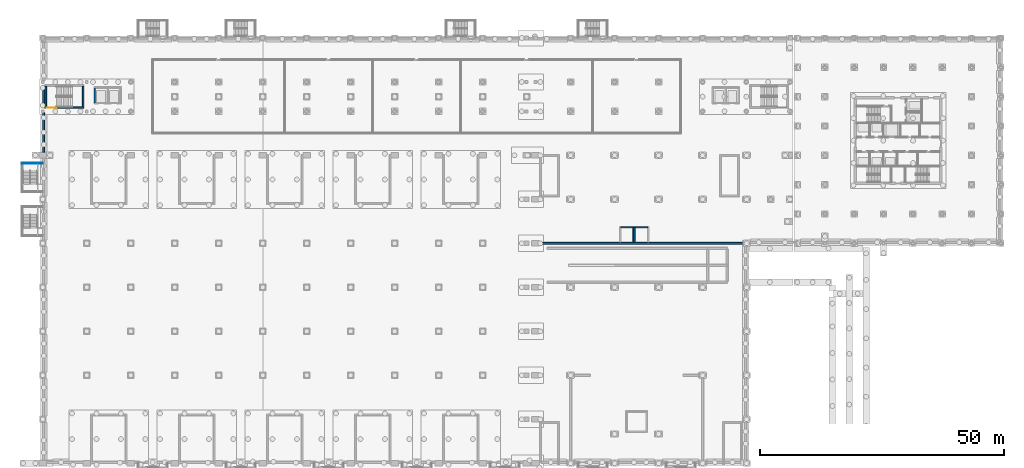
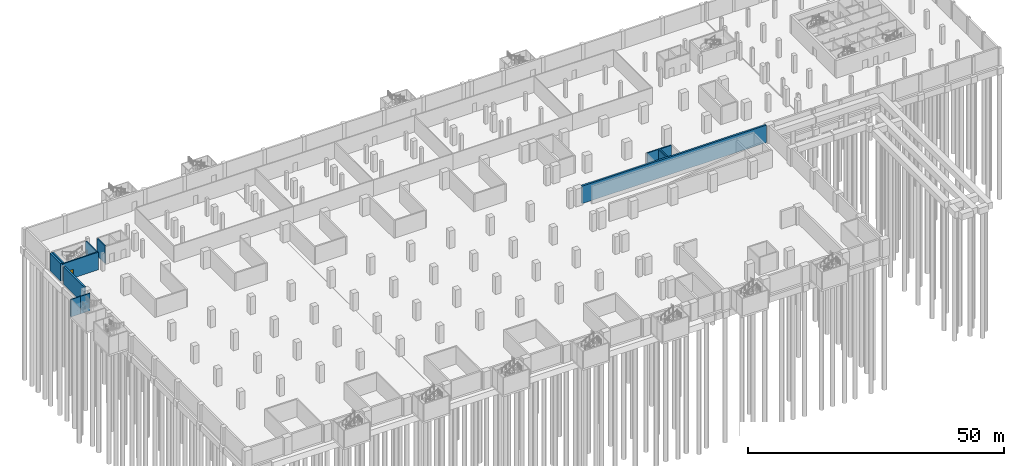
# One storey, part 12 of 29: 13 walls, 1 door, 1 opening.
"""IFC4 building model written with IfcOpenShell, lengths in metres."""

from ifc_helpers import new_model, si_unit, direction, frame, frame_2d, origin, place, context, subcontext, project, spatial, rectangle, extrude, material, layer, layer_set, type_object, element, fill, save


model = new_model("IFC4")

# Units and contexts
model_context = context("Model", 3, precision=1e-05, world=origin(), true_north=direction((0.0, 1.0)))
body_context = subcontext(model_context, "Body", "Model", "MODEL_VIEW")
ifc_project = project(units=[si_unit("LENGTHUNIT", "METRE"), si_unit("AREAUNIT", "SQUARE_METRE"), si_unit("VOLUMEUNIT", "CUBIC_METRE"), si_unit("PLANEANGLEUNIT", "RADIAN"), si_unit("MASSUNIT", "GRAM", prefix="KILO")], contexts=[model_context])

# Site, building, storey
site_placement = place(None, origin())
site = spatial("IfcSite", under=ifc_project, at=site_placement, CompositionType="ELEMENT")
building_placement = place(site_placement, origin())
building = spatial("IfcBuilding", under=site, at=building_placement, Name="Aravalli Gate Trade Fair Centre", CompositionType="ELEMENT")
storey_placement = place(building_placement, frame((0.0, 0.0, -8.39990234375)))
storey = spatial("IfcBuildingStorey", under=building, at=storey_placement, Name="B2", CompositionType="ELEMENT", Elevation=-8.39990234375)

# Walls
ifc_material_1 = material(Name="Concrete M40", Category="concrete")
ifc_layer_1 = layer(ifc_material_1, 0.39990234375)
ifc_layer_set_1 = layer_set([ifc_layer_1], Name="Concrete M40")
wall_type_1 = type_object("IfcWallType", Name="Basement retaining wall 400", PredefinedType="SOLIDWALL", material=ifc_layer_set_1)
wall_1_placement = place(storey_placement, frame((6.199951171875, 109.60009765625, 0.0), z_axis=(0.0, 0.0, 1.0), x_axis=(0.0, 1.0, 0.0)))
element("IfcWall", 1, at=wall_1_placement, inside=storey, type_object=wall_type_1, Name="Retaining wall W08 B2", PredefinedType="SOLIDWALL", context=body_context, shape_type="SweptSolid", body=[
    extrude(rectangle(XDim=8.099853515625, YDim=0.39990234375, at=frame_2d((4.0498046875, 0.0))), origin(), (0.0, 0.0, 1.0), 4.199951171875),
])
wall_2_placement = place(storey_placement, frame((6.199951171875, 118.89990234375, 0.0), z_axis=(0.0, 0.0, 1.0), x_axis=(0.0, 1.0, 0.0)))
element("IfcWall", 2, at=wall_2_placement, inside=storey, type_object=wall_type_1, Name="Retaining wall W09 B2", PredefinedType="SOLIDWALL", context=body_context, shape_type="SweptSolid", body=[
    extrude(rectangle(XDim=4.2001953125, YDim=0.39990234375, at=frame_2d((2.10009765625, 0.0))), origin(), (0.0, 0.0, 1.0), 4.199951171875),
])
ifc_material_2 = material(Name="Concrete M35", Category="concrete")
ifc_layer_2 = layer(ifc_material_2, 0.199951171875)
ifc_layer_set_2 = layer_set([ifc_layer_2], Name="Concrete M35")
wall_type_2 = type_object("IfcWallType", Name="Basement stair enclosure wall 200", PredefinedType="SOLIDWALL", material=ifc_layer_set_2)
wall_3_placement = place(storey_placement, frame((6.0, 107.39990234375, 0.0), z_axis=(0.0, 0.0, 1.0), x_axis=(-1.0, 0.0, 0.0)))
element("IfcWall", 3, at=wall_3_placement, inside=storey, type_object=wall_type_2, Name="Basement stair W2 enclosure wall L1 B2", PredefinedType="SOLIDWALL", context=body_context, shape_type="SweptSolid", body=[
    extrude(rectangle(XDim=2.14990234375, YDim=0.199951171875, at=frame_2d((1.074951171875, 0.0))), origin(), (0.0, 0.0, 1.0), 4.199951171875),
])
wall_4_placement = place(storey_placement, frame((3.85009765625, 107.39990234375, 0.0), z_axis=(0.0, 0.0, 1.0), x_axis=(-1.0, 0.0, 0.0)))
element("IfcWall", 4, at=wall_4_placement, inside=storey, type_object=wall_type_2, Name="Basement stair W2 enclosure wall L2 B2", PredefinedType="SOLIDWALL", context=body_context, shape_type="SweptSolid", body=[
    extrude(rectangle(XDim=2.150146484375, YDim=0.199951171875, at=frame_2d((1.0751953125, 0.0))), origin(), (0.0, 0.0, 1.0), 4.199951171875),
])
ifc_layer_3 = layer(ifc_material_1, 0.25)
ifc_layer_set_3 = layer_set([ifc_layer_3], Name="Concrete M40")
wall_type_3 = type_object("IfcWallType", Name="Congress RC wall 250 shaft", PredefinedType="SHEAR", material=ifc_layer_set_3)
wall_5_placement = place(storey_placement, frame((126.875, 91.199951171875, 0.0), z_axis=(0.0, 0.0, 1.0), x_axis=(0.0, 1.0, 0.0)))
element("IfcWall", 5, at=wall_5_placement, inside=storey, type_object=wall_type_3, Name="Lift GL1 shaft wall E B2", PredefinedType="SHEAR", context=body_context, shape_type="SweptSolid", body=[
    extrude(rectangle(XDim=3.199951171875, YDim=0.25, at=frame_2d((1.60009765625, 0.0))), origin(), (0.0, 0.0, 1.0), 4.199951171875),
])
wall_6_placement = place(storey_placement, frame((124.25, 94.27490234375, 0.0), z_axis=(0.0, 0.0, 1.0), x_axis=(1.0, 0.0, 0.0)))
element("IfcWall", 6, at=wall_6_placement, inside=storey, type_object=wall_type_3, Name="Lift GL1 shaft wall F B2", PredefinedType="SHEAR", context=body_context, shape_type="SweptSolid", body=[
    extrude(rectangle(XDim=2.5, YDim=0.25, at=frame_2d((1.25, 0.0))), origin(), (0.0, 0.0, 1.0), 4.199951171875),
])
wall_7_placement = place(storey_placement, frame((127.125, 91.199951171875, 0.0), z_axis=(0.0, 0.0, 1.0), x_axis=(0.0, 1.0, 0.0)))
element("IfcWall", 7, at=wall_7_placement, inside=storey, type_object=wall_type_3, Name="Lift GL2 shaft wall W B2", PredefinedType="SHEAR", context=body_context, shape_type="SweptSolid", body=[
    extrude(rectangle(XDim=3.199951171875, YDim=0.25, at=frame_2d((1.60009765625, 0.0))), origin(), (0.0, 0.0, 1.0), 4.199951171875),
])
wall_8_placement = place(storey_placement, frame((127.25, 94.27490234375, 0.0), z_axis=(0.0, 0.0, 1.0), x_axis=(1.0, 0.0, 0.0)))
element("IfcWall", 8, at=wall_8_placement, inside=storey, type_object=wall_type_3, Name="Lift GL2 shaft wall F B2", PredefinedType="SHEAR", context=body_context, shape_type="SweptSolid", body=[
    extrude(rectangle(XDim=2.5, YDim=0.25, at=frame_2d((1.25, 0.0))), origin(), (0.0, 0.0, 1.0), 4.199951171875),
])
ifc_layer_4 = layer(ifc_material_1, 0.39990234375)
ifc_layer_set_4 = layer_set([ifc_layer_4], Name="Concrete M40")
wall_type_4 = type_object("IfcWallType", Name="Congress RC wall 400", PredefinedType="SHEAR", material=ifc_layer_set_4)
wall_9_placement = place(storey_placement, frame((107.60009765625, 91.0, 0.0), z_axis=(0.0, 0.0, 1.0), x_axis=(1.0, 0.0, 0.0)))
element("IfcWall", 9, at=wall_9_placement, inside=storey, type_object=wall_type_4, Name="Auditorium rear wall B2", PredefinedType="SHEAR", context=body_context, shape_type="SweptSolid", body=[
    extrude(rectangle(XDim=41.599853515625, YDim=0.39990234375, at=frame_2d((20.7998046875, 0.0))), origin(), (0.0, 0.0, 1.0), 4.199951171875),
])
ifc_layer_5 = layer(ifc_material_1, 0.25)
ifc_layer_set_5 = layer_set([ifc_layer_5], Name="Concrete M40")
wall_type_5 = type_object("IfcWallType", Name="RC core wall 250", PredefinedType="SHEAR", material=ifc_layer_set_5)
wall_10_placement = place(storey_placement, frame((16.625, 119.75, 0.0), z_axis=(0.0, 0.0, 1.0), x_axis=(0.0, 1.0, 0.0)))
element("IfcWall", 10, at=wall_10_placement, inside=storey, type_object=wall_type_5, Name="Core wall WLW B2", PredefinedType="SHEAR", context=body_context, shape_type="SweptSolid", body=[
    extrude(rectangle(XDim=3.0, YDim=0.25, at=frame_2d((1.5, 0.0))), origin(), (0.0, 0.0, 1.0), 4.199951171875),
])

# Wall, opening, door
ifc_layer_6 = layer(ifc_material_1, 0.300048828125)
ifc_layer_set_6 = layer_set([ifc_layer_6], Name="Concrete M40")
wall_type_6 = type_object("IfcWallType", Name="RC core wall 300", PredefinedType="SHEAR", material=ifc_layer_set_6)
wall_11_placement = place(storey_placement, frame((6.39990234375, 118.75, 0.0), z_axis=(0.0, 0.0, 1.0), x_axis=(1.0, 0.0, 0.0)))
wall_11 = element("IfcWall", 11, at=wall_11_placement, inside=storey, type_object=wall_type_6, Name="Core wall WSS B2", PredefinedType="SHEAR", context=body_context, shape_type="SweptSolid", body=[
    extrude(rectangle(XDim=8.0, YDim=0.300048828125, at=frame_2d((4.0, 0.0))), origin(), (0.0, 0.0, 1.0), 4.199951171875),
])
opening_placement = place(wall_11_placement, frame((0.449951171875, 0.0, 0.0)))
opening = element("IfcOpeningElement", 12, at=opening_placement, cuts=wall_11, Name="Opening C-B2-01", PredefinedType="OPENING", context=body_context, shape_type="SweptSolid", body=[
    extrude(rectangle(XDim=1.89990234375, YDim=2.10009765625, at=frame_2d((0.949951171875, 1.050048828125))), frame((0.0, 0.159912109375, 0.0), z_axis=(0.0, -1.0, 0.0), x_axis=(1.0, 0.0, 0.0)), (0.0, 0.0, 1.0), 0.320068359375),
])
ifc_material_3 = material(Name="Steel, fire rated", Category="steel")
door_type = type_object("IfcDoorType", Name="Concourse stair door 1900 x 2100", OperationType="DOUBLE_DOOR_SINGLE_SWING", PredefinedType="NOTDEFINED", material=ifc_material_3)
door_placement = place(opening_placement, origin())
door = element("IfcDoor", 13, at=door_placement, inside=storey, type_object=door_type, Name="Stair door WS B2", OperationType="DOUBLE_DOOR_SINGLE_SWING", OverallHeight=2.10009765625, OverallWidth=1.89990234375, PredefinedType="NOTDEFINED", context=body_context, shape_type="SweptSolid", body=[
    extrude(rectangle(XDim=1.89990234375, YDim=2.10009765625, at=frame_2d((0.949951171875, 1.050048828125))), frame((0.0, 0.02490234375, 0.0), z_axis=(0.0, -1.0, 0.0), x_axis=(1.0, 0.0, 0.0)), (0.0, 0.0, 1.0), 0.050048828125),
])
fill(opening, door)

# Walls
for number, where, z_axis, x_axis, name in (
    (14, (6.64990234375, 118.89990234375, 0.0), (0.0, 0.0, 1.0), (0.0, 1.0, 0.0), "Core wall WSW B2"),
    (15, (14.25, 118.89990234375, 0.0), (0.0, 0.0, 1.0), (0.0, 1.0, 0.0), "Core wall WSE B2"),
):
    element("IfcWall", number, at=place(storey_placement, frame(where, z_axis=z_axis, x_axis=x_axis)), inside=storey, type_object=wall_type_6, Name=name, PredefinedType="SHEAR", context=body_context, shape_type="SweptSolid", body=[
        extrude(rectangle(XDim=4.2001953125, YDim=0.300048828125, at=frame_2d((2.10009765625, 0.0))), origin(), (0.0, 0.0, 1.0), 4.199951171875),
    ])

save(model, "model.ifc")
